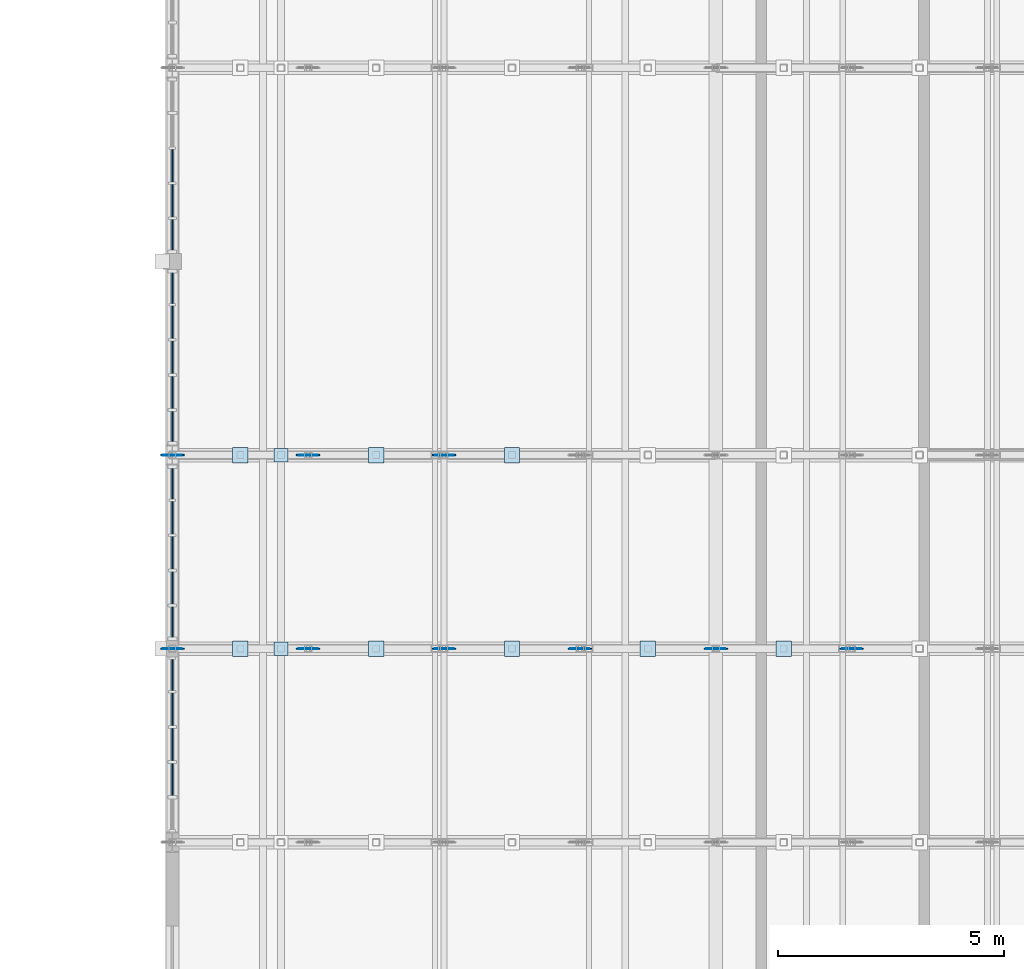
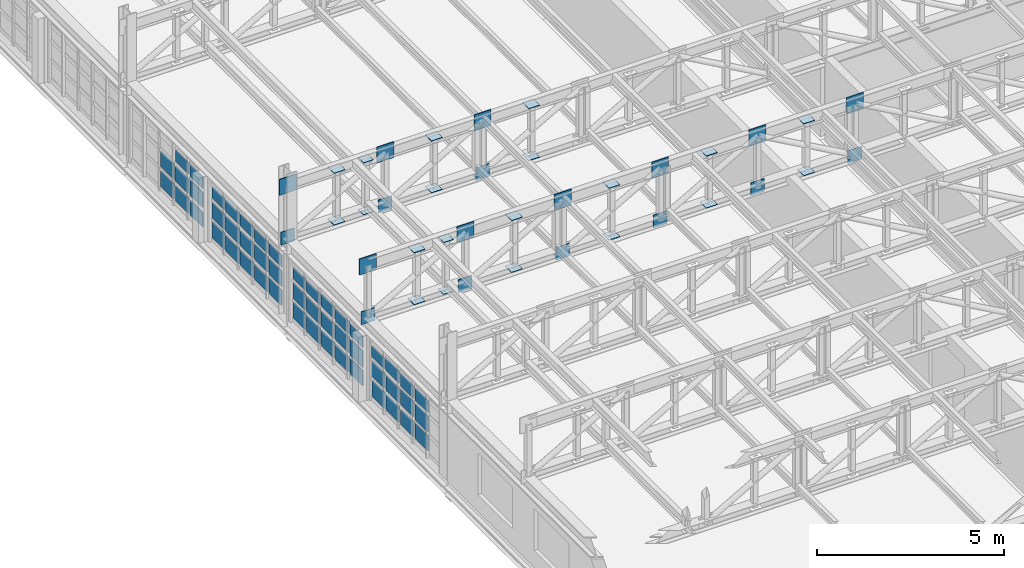
# One storey, part 107 of 128: 88 plates, 4 elements without a shape of their own.
"""IFC4 building model written with IfcOpenShell, lengths in metres."""

from ifc_helpers import new_model, si_unit, direction, frame, origin, origin_2d, place, context, subcontext, project, spatial, rectangle, extrude, material, layer, layer_set, type_object, element, aggregate, save


model = new_model("IFC4")

# Units and contexts
model_context = context("Model", 3, precision=1e-05, world=origin(), true_north=direction((0.0, 1.0)))
body_context = subcontext(model_context, "Body", "Model", "MODEL_VIEW")
ifc_project = project(units=[si_unit("LENGTHUNIT", "METRE"), si_unit("AREAUNIT", "SQUARE_METRE"), si_unit("VOLUMEUNIT", "CUBIC_METRE"), si_unit("PLANEANGLEUNIT", "RADIAN"), si_unit("MASSUNIT", "GRAM", prefix="KILO")], contexts=[model_context])

# Site, building, storey
site_placement = place(None, origin())
site = spatial("IfcSite", under=ifc_project, at=site_placement, CompositionType="ELEMENT")
building_placement = place(site_placement, origin())
building = spatial("IfcBuilding", under=site, at=building_placement, Name="Serraforn Aerial Cableway Station", CompositionType="ELEMENT")
storey_placement = place(building_placement, frame((0.0, 0.0, 9.0)))
storey = spatial("IfcBuildingStorey", under=building, at=storey_placement, Name="L02", CompositionType="ELEMENT", Elevation=9.0)

# Curtain wall, plates
ifc_material_1 = material(Name="Anodised bronze unitised curtain wall")
curtain_wall_type_1 = type_object("IfcCurtainWallType", Name="CW-SYS-3", PredefinedType="USERDEFINED", material=ifc_material_1)
curtain_wall_1_placement = place(storey_placement, origin())
curtain_wall_1 = element("IfcCurtainWall", 1, at=curtain_wall_1_placement, inside=storey, type_object=curtain_wall_type_1, Name="Unitised Curtain Wall CW-EG-L02-W5A", ObjectType="UNITISED CURTAIN WALL", PredefinedType="USERDEFINED")
ifc_material_2 = material(Name="Solar-control low-E double glazing", Category="glass")
ifc_layer_1 = layer(ifc_material_2, 0.02587890625)
ifc_layer_set_1 = layer_set([ifc_layer_1], Name="Solar-control low-E double glazing")
plate_type_1 = type_object("IfcPlateType", Name="CW-GLZ-1", PredefinedType="CURTAIN_PANEL", material=ifc_layer_set_1)
plate_1_placement = place(storey_placement, frame((144.0, 87.716064453125, 0.77880859375), z_axis=(0.0, 0.0, 1.0), x_axis=(1.0, 0.0, 0.0)))
plate_1 = element("IfcPlate", 2, at=plate_1_placement, type_object=plate_type_1, Name="Curtain Wall Panel CW-EG-L02-W5A-P1-2", PredefinedType="CURTAIN_PANEL", context=body_context, shape_type="SweptSolid", body=[
    extrude(rectangle(XDim=0.02587890625, YDim=0.67578125, at=origin_2d()), origin(), (0.0, 0.0, 1.0), 0.512451171875),
])
plate_2_placement = place(storey_placement, frame((144.0, 86.966796875, 0.142578125), z_axis=(0.0, 0.0, 1.0), x_axis=(1.0, 0.0, 0.0)))
plate_2 = element("IfcPlate", 3, at=plate_2_placement, type_object=plate_type_1, Name="Curtain Wall Panel CW-EG-L02-W5A-P2-1", PredefinedType="CURTAIN_PANEL", context=body_context, shape_type="SweptSolid", body=[
    extrude(rectangle(XDim=0.02587890625, YDim=0.720947265625, at=origin_2d()), origin(), (0.0, 0.0, 1.0), 0.512451171875),
])

# Curtain wall, plate
curtain_wall_type_2 = type_object("IfcCurtainWallType", Name="CW-SYS-4", PredefinedType="USERDEFINED", material=ifc_material_1)
curtain_wall_2_placement = place(storey_placement, origin())
curtain_wall_2 = element("IfcCurtainWall", 4, at=curtain_wall_2_placement, inside=storey, type_object=curtain_wall_type_2, Name="Unitised Curtain Wall CW-EG-L02-W5B", ObjectType="UNITISED CURTAIN WALL", PredefinedType="USERDEFINED")
plate_3_placement = place(storey_placement, frame((144.0, 83.495361328125, 0.142578125), z_axis=(0.0, 0.0, 1.0), x_axis=(1.0, 0.0, 0.0)))
plate_3 = element("IfcPlate", 5, at=plate_3_placement, type_object=plate_type_1, Name="Curtain Wall Panel CW-EG-L02-W5B-P1-1", PredefinedType="CURTAIN_PANEL", context=body_context, shape_type="SweptSolid", body=[
    extrude(rectangle(XDim=0.02587890625, YDim=0.693359375, at=origin_2d()), origin(), (0.0, 0.0, 1.0), 0.512451171875),
])

# Curtain wall, plates
curtain_wall_type_3 = type_object("IfcCurtainWallType", Name="CW-SYS-7", PredefinedType="USERDEFINED", material=ifc_material_1)
curtain_wall_3_placement = place(storey_placement, origin())
curtain_wall_3 = element("IfcCurtainWall", 6, at=curtain_wall_3_placement, inside=storey, type_object=curtain_wall_type_3, Name="Unitised Curtain Wall CW-EG-L02-W6A", ObjectType="UNITISED CURTAIN WALL", PredefinedType="USERDEFINED")
plate_4_placement = place(storey_placement, frame((144.0, 93.968017578125, 1.4375), z_axis=(0.0, 0.0, 1.0), x_axis=(1.0, 0.0, 0.0)))
plate_4 = element("IfcPlate", 7, at=plate_4_placement, type_object=plate_type_1, Name="Curtain Wall Panel CW-EG-L02-W6A-P4-3", PredefinedType="CURTAIN_PANEL", context=body_context, shape_type="SweptSolid", body=[
    extrude(rectangle(XDim=0.02587890625, YDim=0.7158203125, at=origin_2d()), origin(), (0.0, 0.0, 1.0), 0.375244140625),
])
plate_5_placement = place(storey_placement, frame((144.0, 93.2109375, 0.80126953125), z_axis=(0.0, 0.0, 1.0), x_axis=(1.0, 0.0, 0.0)))
plate_5 = element("IfcPlate", 8, at=plate_5_placement, type_object=plate_type_1, Name="Curtain Wall Panel CW-EG-L02-W6A-P5-2", PredefinedType="CURTAIN_PANEL", context=body_context, shape_type="SweptSolid", body=[
    extrude(rectangle(XDim=0.02587890625, YDim=0.67578125, at=origin_2d()), origin(), (0.0, 0.0, 1.0), 0.50244140625),
])

curtain_wall_type_4 = type_object("IfcCurtainWallType", Name="CW-SYS-8", PredefinedType="USERDEFINED", material=ifc_material_1)
curtain_wall_4_placement = place(storey_placement, origin())
curtain_wall_4 = element("IfcCurtainWall", 9, at=curtain_wall_4_placement, inside=storey, type_object=curtain_wall_type_4, Name="Unitised Curtain Wall CW-EG-L02-W6B", ObjectType="UNITISED CURTAIN WALL", PredefinedType="USERDEFINED")
plate_6_placement = place(storey_placement, frame((144.0, 90.51025390625, 1.4375), z_axis=(0.0, 0.0, 1.0), x_axis=(1.0, 0.0, 0.0)))
plate_6 = element("IfcPlate", 10, at=plate_6_placement, type_object=plate_type_1, Name="Curtain Wall Panel CW-EG-L02-W6B-P3-3", PredefinedType="CURTAIN_PANEL", context=body_context, shape_type="SweptSolid", body=[
    extrude(rectangle(XDim=0.02587890625, YDim=0.7158203125, at=origin_2d()), origin(), (0.0, 0.0, 1.0), 0.375244140625),
])
plate_7_placement = place(storey_placement, frame((144.0, 89.73583984375, 0.80126953125), z_axis=(0.0, 0.0, 1.0), x_axis=(1.0, 0.0, 0.0)))
plate_7 = element("IfcPlate", 11, at=plate_7_placement, type_object=plate_type_1, Name="Curtain Wall Panel CW-EG-L02-W6B-P4-2", PredefinedType="CURTAIN_PANEL", context=body_context, shape_type="SweptSolid", body=[
    extrude(rectangle(XDim=0.02587890625, YDim=0.7109375, at=origin_2d()), origin(), (0.0, 0.0, 1.0), 0.50244140625),
])
plate_8_placement = place(storey_placement, frame((144.0, 88.980224609375, 0.165283203125), z_axis=(0.0, 0.0, 1.0), x_axis=(1.0, 0.0, 0.0)))
plate_8 = element("IfcPlate", 12, at=plate_8_placement, type_object=plate_type_1, Name="Curtain Wall Panel CW-EG-L02-W6B-P5-1", PredefinedType="CURTAIN_PANEL", context=body_context, shape_type="SweptSolid", body=[
    extrude(rectangle(XDim=0.02587890625, YDim=0.66845703125, at=origin_2d()), origin(), (0.0, 0.0, 1.0), 0.50244140625),
])

# Plate
ifc_layer_2 = layer(ifc_material_2, 0.028076171875)
ifc_layer_set_2 = layer_set([ifc_layer_2], Name="Solar-control low-E double glazing")
plate_type_2 = type_object("IfcPlateType", Name="CW-GLZ-2", PredefinedType="CURTAIN_PANEL", material=ifc_layer_set_2)
plate_9_placement = place(storey_placement, frame((144.0, 87.716064453125, 1.42236328125), z_axis=(0.0, 0.0, 1.0), x_axis=(1.0, 0.0, 0.0)))
plate_9 = element("IfcPlate", 13, at=plate_9_placement, type_object=plate_type_2, Name="Curtain Wall Panel CW-EG-L02-W5A-P1-3", PredefinedType="CURTAIN_PANEL", context=body_context, shape_type="SweptSolid", body=[
    extrude(rectangle(XDim=0.028076171875, YDim=0.67578125, at=origin_2d()), origin(), (0.0, 0.0, 1.0), 0.370361328125),
])

plate_10_placement = place(storey_placement, frame((144.0, 86.966796875, 0.786376953125), z_axis=(0.0, 0.0, 1.0), x_axis=(1.0, 0.0, 0.0)))
plate_10 = element("IfcPlate", 14, at=plate_10_placement, type_object=plate_type_2, Name="Curtain Wall Panel CW-EG-L02-W5A-P2-2", PredefinedType="CURTAIN_PANEL", context=body_context, shape_type="SweptSolid", body=[
    extrude(rectangle(XDim=0.028076171875, YDim=0.720947265625, at=origin_2d()), origin(), (0.0, 0.0, 1.0), 0.49755859375),
])

plate_11_placement = place(storey_placement, frame((144.0, 86.1923828125, 0.150390625), z_axis=(0.0, 0.0, 1.0), x_axis=(1.0, 0.0, 0.0)))
plate_11 = element("IfcPlate", 15, at=plate_11_placement, type_object=plate_type_2, Name="Curtain Wall Panel CW-EG-L02-W5A-P3-1", PredefinedType="CURTAIN_PANEL", context=body_context, shape_type="SweptSolid", body=[
    extrude(rectangle(XDim=0.028076171875, YDim=0.7158203125, at=origin_2d()), origin(), (0.0, 0.0, 1.0), 0.49755859375),
])

plate_12_placement = place(storey_placement, frame((144.0, 83.495361328125, 0.786376953125), z_axis=(0.0, 0.0, 1.0), x_axis=(1.0, 0.0, 0.0)))
plate_12 = element("IfcPlate", 16, at=plate_12_placement, type_object=plate_type_2, Name="Curtain Wall Panel CW-EG-L02-W5B-P1-2", PredefinedType="CURTAIN_PANEL", context=body_context, shape_type="SweptSolid", body=[
    extrude(rectangle(XDim=0.028076171875, YDim=0.693359375, at=origin_2d()), origin(), (0.0, 0.0, 1.0), 0.49755859375),
])

plate_13_placement = place(storey_placement, frame((144.0, 82.734619140625, 0.150390625), z_axis=(0.0, 0.0, 1.0), x_axis=(1.0, 0.0, 0.0)))
plate_13 = element("IfcPlate", 17, at=plate_13_placement, type_object=plate_type_2, Name="Curtain Wall Panel CW-EG-L02-W5B-P2-1", PredefinedType="CURTAIN_PANEL", context=body_context, shape_type="SweptSolid", body=[
    extrude(rectangle(XDim=0.028076171875, YDim=0.7158203125, at=origin_2d()), origin(), (0.0, 0.0, 1.0), 0.49755859375),
])

plate_14_placement = place(storey_placement, frame((144.0, 93.2109375, 1.40966796875), z_axis=(0.0, 0.0, 1.0), x_axis=(1.0, 0.0, 0.0)))
plate_14 = element("IfcPlate", 18, at=plate_14_placement, type_object=plate_type_2, Name="Curtain Wall Panel CW-EG-L02-W6A-P5-3", PredefinedType="CURTAIN_PANEL", context=body_context, shape_type="SweptSolid", body=[
    extrude(rectangle(XDim=0.028076171875, YDim=0.67578125, at=origin_2d()), origin(), (0.0, 0.0, 1.0), 0.397705078125),
])

plate_15_placement = place(storey_placement, frame((144.0, 89.73583984375, 1.40966796875), z_axis=(0.0, 0.0, 1.0), x_axis=(1.0, 0.0, 0.0)))
plate_15 = element("IfcPlate", 19, at=plate_15_placement, type_object=plate_type_2, Name="Curtain Wall Panel CW-EG-L02-W6B-P4-3", PredefinedType="CURTAIN_PANEL", context=body_context, shape_type="SweptSolid", body=[
    extrude(rectangle(XDim=0.028076171875, YDim=0.7109375, at=origin_2d()), origin(), (0.0, 0.0, 1.0), 0.397705078125),
])

plate_16_placement = place(storey_placement, frame((144.0, 88.980224609375, 0.77392578125), z_axis=(0.0, 0.0, 1.0), x_axis=(1.0, 0.0, 0.0)))
plate_16 = element("IfcPlate", 20, at=plate_16_placement, type_object=plate_type_2, Name="Curtain Wall Panel CW-EG-L02-W6B-P5-2", PredefinedType="CURTAIN_PANEL", context=body_context, shape_type="SweptSolid", body=[
    extrude(rectangle(XDim=0.028076171875, YDim=0.66845703125, at=origin_2d()), origin(), (0.0, 0.0, 1.0), 0.52490234375),
])

ifc_layer_3 = layer(ifc_material_2, 0.030029296875)
ifc_layer_set_3 = layer_set([ifc_layer_3], Name="Solar-control low-E double glazing")
plate_type_3 = type_object("IfcPlateType", Name="CW-GLZ-3", PredefinedType="CURTAIN_PANEL", material=ifc_layer_set_3)
plate_17_placement = place(storey_placement, frame((144.0, 86.966796875, 1.4296875), z_axis=(0.0, 0.0, 1.0), x_axis=(1.0, 0.0, 0.0)))
plate_17 = element("IfcPlate", 21, at=plate_17_placement, type_object=plate_type_3, Name="Curtain Wall Panel CW-EG-L02-W5A-P2-3", PredefinedType="CURTAIN_PANEL", context=body_context, shape_type="SweptSolid", body=[
    extrude(rectangle(XDim=0.030029296875, YDim=0.720947265625, at=origin_2d()), origin(), (0.0, 0.0, 1.0), 0.355224609375),
])

plate_18_placement = place(storey_placement, frame((144.0, 86.1923828125, 0.7939453125), z_axis=(0.0, 0.0, 1.0), x_axis=(1.0, 0.0, 0.0)))
plate_18 = element("IfcPlate", 22, at=plate_18_placement, type_object=plate_type_3, Name="Curtain Wall Panel CW-EG-L02-W5A-P3-2", PredefinedType="CURTAIN_PANEL", context=body_context, shape_type="SweptSolid", body=[
    extrude(rectangle(XDim=0.030029296875, YDim=0.7158203125, at=origin_2d()), origin(), (0.0, 0.0, 1.0), 0.482421875),
])

plate_19_placement = place(storey_placement, frame((144.0, 85.41796875, 0.15771484375), z_axis=(0.0, 0.0, 1.0), x_axis=(1.0, 0.0, 0.0)))
plate_19 = element("IfcPlate", 23, at=plate_19_placement, type_object=plate_type_3, Name="Curtain Wall Panel CW-EG-L02-W5A-P4-1", PredefinedType="CURTAIN_PANEL", context=body_context, shape_type="SweptSolid", body=[
    extrude(rectangle(XDim=0.030029296875, YDim=0.7109375, at=origin_2d()), origin(), (0.0, 0.0, 1.0), 0.482421875),
])

plate_20_placement = place(storey_placement, frame((144.0, 83.495361328125, 1.4296875), z_axis=(0.0, 0.0, 1.0), x_axis=(1.0, 0.0, 0.0)))
plate_20 = element("IfcPlate", 24, at=plate_20_placement, type_object=plate_type_3, Name="Curtain Wall Panel CW-EG-L02-W5B-P1-3", PredefinedType="CURTAIN_PANEL", context=body_context, shape_type="SweptSolid", body=[
    extrude(rectangle(XDim=0.030029296875, YDim=0.693359375, at=origin_2d()), origin(), (0.0, 0.0, 1.0), 0.355224609375),
])

plate_21_placement = place(storey_placement, frame((144.0, 82.734619140625, 0.7939453125), z_axis=(0.0, 0.0, 1.0), x_axis=(1.0, 0.0, 0.0)))
plate_21 = element("IfcPlate", 25, at=plate_21_placement, type_object=plate_type_3, Name="Curtain Wall Panel CW-EG-L02-W5B-P2-2", PredefinedType="CURTAIN_PANEL", context=body_context, shape_type="SweptSolid", body=[
    extrude(rectangle(XDim=0.030029296875, YDim=0.7158203125, at=origin_2d()), origin(), (0.0, 0.0, 1.0), 0.482421875),
])

plate_22_placement = place(storey_placement, frame((144.0, 81.960205078125, 0.15771484375), z_axis=(0.0, 0.0, 1.0), x_axis=(1.0, 0.0, 0.0)))
plate_22 = element("IfcPlate", 26, at=plate_22_placement, type_object=plate_type_3, Name="Curtain Wall Panel CW-EG-L02-W5B-P3-1", PredefinedType="CURTAIN_PANEL", context=body_context, shape_type="SweptSolid", body=[
    extrude(rectangle(XDim=0.030029296875, YDim=0.7109375, at=origin_2d()), origin(), (0.0, 0.0, 1.0), 0.482421875),
])

plate_23_placement = place(storey_placement, frame((144.0, 88.980224609375, 1.414794921875), z_axis=(0.0, 0.0, 1.0), x_axis=(1.0, 0.0, 0.0)))
plate_23 = element("IfcPlate", 27, at=plate_23_placement, type_object=plate_type_3, Name="Curtain Wall Panel CW-EG-L02-W6B-P5-3", PredefinedType="CURTAIN_PANEL", context=body_context, shape_type="SweptSolid", body=[
    extrude(rectangle(XDim=0.030029296875, YDim=0.66845703125, at=origin_2d()), origin(), (0.0, 0.0, 1.0), 0.38525390625),
])

ifc_layer_4 = layer(ifc_material_2, 0.031982421875)
ifc_layer_set_4 = layer_set([ifc_layer_4], Name="Solar-control low-E double glazing")
plate_type_4 = type_object("IfcPlateType", Name="CW-GLZ-4", PredefinedType="CURTAIN_PANEL", material=ifc_layer_set_4)
plate_24_placement = place(storey_placement, frame((144.0, 86.1923828125, 1.4375), z_axis=(0.0, 0.0, 1.0), x_axis=(1.0, 0.0, 0.0)))
plate_24 = element("IfcPlate", 28, at=plate_24_placement, type_object=plate_type_4, Name="Curtain Wall Panel CW-EG-L02-W5A-P3-3", PredefinedType="CURTAIN_PANEL", context=body_context, shape_type="SweptSolid", body=[
    extrude(rectangle(XDim=0.031982421875, YDim=0.7158203125, at=origin_2d()), origin(), (0.0, 0.0, 1.0), 0.375244140625),
])

plate_25_placement = place(storey_placement, frame((144.0, 85.41796875, 0.80126953125), z_axis=(0.0, 0.0, 1.0), x_axis=(1.0, 0.0, 0.0)))
plate_25 = element("IfcPlate", 29, at=plate_25_placement, type_object=plate_type_4, Name="Curtain Wall Panel CW-EG-L02-W5A-P4-2", PredefinedType="CURTAIN_PANEL", context=body_context, shape_type="SweptSolid", body=[
    extrude(rectangle(XDim=0.031982421875, YDim=0.7109375, at=origin_2d()), origin(), (0.0, 0.0, 1.0), 0.50244140625),
])

plate_26_placement = place(storey_placement, frame((144.0, 84.662109375, 0.165283203125), z_axis=(0.0, 0.0, 1.0), x_axis=(1.0, 0.0, 0.0)))
plate_26 = element("IfcPlate", 30, at=plate_26_placement, type_object=plate_type_4, Name="Curtain Wall Panel CW-EG-L02-W5A-P5-1", PredefinedType="CURTAIN_PANEL", context=body_context, shape_type="SweptSolid", body=[
    extrude(rectangle(XDim=0.031982421875, YDim=0.66845703125, at=origin_2d()), origin(), (0.0, 0.0, 1.0), 0.50244140625),
])

plate_27_placement = place(storey_placement, frame((144.0, 82.734619140625, 1.4375), z_axis=(0.0, 0.0, 1.0), x_axis=(1.0, 0.0, 0.0)))
plate_27 = element("IfcPlate", 31, at=plate_27_placement, type_object=plate_type_4, Name="Curtain Wall Panel CW-EG-L02-W5B-P2-3", PredefinedType="CURTAIN_PANEL", context=body_context, shape_type="SweptSolid", body=[
    extrude(rectangle(XDim=0.031982421875, YDim=0.7158203125, at=origin_2d()), origin(), (0.0, 0.0, 1.0), 0.375244140625),
])

plate_28_placement = place(storey_placement, frame((144.0, 81.960205078125, 0.80126953125), z_axis=(0.0, 0.0, 1.0), x_axis=(1.0, 0.0, 0.0)))
plate_28 = element("IfcPlate", 32, at=plate_28_placement, type_object=plate_type_4, Name="Curtain Wall Panel CW-EG-L02-W5B-P3-2", PredefinedType="CURTAIN_PANEL", context=body_context, shape_type="SweptSolid", body=[
    extrude(rectangle(XDim=0.031982421875, YDim=0.7109375, at=origin_2d()), origin(), (0.0, 0.0, 1.0), 0.50244140625),
])

plate_29_placement = place(storey_placement, frame((144.0, 81.185791015625, 0.165283203125), z_axis=(0.0, 0.0, 1.0), x_axis=(1.0, 0.0, 0.0)))
plate_29 = element("IfcPlate", 33, at=plate_29_placement, type_object=plate_type_4, Name="Curtain Wall Panel CW-EG-L02-W5B-P4-1", PredefinedType="CURTAIN_PANEL", context=body_context, shape_type="SweptSolid", body=[
    extrude(rectangle(XDim=0.031982421875, YDim=0.705810546875, at=origin_2d()), origin(), (0.0, 0.0, 1.0), 0.50244140625),
])

ifc_layer_5 = layer(ifc_material_2, 0.033935546875)
ifc_layer_set_5 = layer_set([ifc_layer_5], Name="Solar-control low-E double glazing")
plate_type_5 = type_object("IfcPlateType", Name="CW-GLZ-5", PredefinedType="CURTAIN_PANEL", material=ifc_layer_set_5)
plate_30_placement = place(storey_placement, frame((144.0, 85.41796875, 1.40966796875), z_axis=(0.0, 0.0, 1.0), x_axis=(1.0, 0.0, 0.0)))
plate_30 = element("IfcPlate", 34, at=plate_30_placement, type_object=plate_type_5, Name="Curtain Wall Panel CW-EG-L02-W5A-P4-3", PredefinedType="CURTAIN_PANEL", context=body_context, shape_type="SweptSolid", body=[
    extrude(rectangle(XDim=0.033935546875, YDim=0.7109375, at=origin_2d()), origin(), (0.0, 0.0, 1.0), 0.397705078125),
])

plate_31_placement = place(storey_placement, frame((144.0, 84.662109375, 0.77392578125), z_axis=(0.0, 0.0, 1.0), x_axis=(1.0, 0.0, 0.0)))
plate_31 = element("IfcPlate", 35, at=plate_31_placement, type_object=plate_type_5, Name="Curtain Wall Panel CW-EG-L02-W5A-P5-2", PredefinedType="CURTAIN_PANEL", context=body_context, shape_type="SweptSolid", body=[
    extrude(rectangle(XDim=0.033935546875, YDim=0.66845703125, at=origin_2d()), origin(), (0.0, 0.0, 1.0), 0.52490234375),
])

plate_32_placement = place(storey_placement, frame((144.0, 81.960205078125, 1.40966796875), z_axis=(0.0, 0.0, 1.0), x_axis=(1.0, 0.0, 0.0)))
plate_32 = element("IfcPlate", 36, at=plate_32_placement, type_object=plate_type_5, Name="Curtain Wall Panel CW-EG-L02-W5B-P3-3", PredefinedType="CURTAIN_PANEL", context=body_context, shape_type="SweptSolid", body=[
    extrude(rectangle(XDim=0.033935546875, YDim=0.7109375, at=origin_2d()), origin(), (0.0, 0.0, 1.0), 0.397705078125),
])

plate_33_placement = place(storey_placement, frame((144.0, 81.185791015625, 0.77392578125), z_axis=(0.0, 0.0, 1.0), x_axis=(1.0, 0.0, 0.0)))
plate_33 = element("IfcPlate", 37, at=plate_33_placement, type_object=plate_type_5, Name="Curtain Wall Panel CW-EG-L02-W5B-P4-2", PredefinedType="CURTAIN_PANEL", context=body_context, shape_type="SweptSolid", body=[
    extrude(rectangle(XDim=0.033935546875, YDim=0.705810546875, at=origin_2d()), origin(), (0.0, 0.0, 1.0), 0.52490234375),
])

plate_34_placement = place(storey_placement, frame((144.0, 92.033935546875, 0.137939453125), z_axis=(0.0, 0.0, 1.0), x_axis=(1.0, 0.0, 0.0)))
plate_34 = element("IfcPlate", 38, at=plate_34_placement, type_object=plate_type_5, Name="Curtain Wall Panel CW-EG-L02-W6B-P1-1", PredefinedType="CURTAIN_PANEL", context=body_context, shape_type="SweptSolid", body=[
    extrude(rectangle(XDim=0.033935546875, YDim=0.67578125, at=origin_2d()), origin(), (0.0, 0.0, 1.0), 0.52490234375),
])

ifc_layer_6 = layer(ifc_material_2, 0.035888671875)
ifc_layer_set_6 = layer_set([ifc_layer_6], Name="Solar-control low-E double glazing")
plate_type_6 = type_object("IfcPlateType", Name="CW-GLZ-6", PredefinedType="CURTAIN_PANEL", material=ifc_layer_set_6)
plate_35_placement = place(storey_placement, frame((144.0, 84.662109375, 1.414794921875), z_axis=(0.0, 0.0, 1.0), x_axis=(1.0, 0.0, 0.0)))
plate_35 = element("IfcPlate", 39, at=plate_35_placement, type_object=plate_type_6, Name="Curtain Wall Panel CW-EG-L02-W5A-P5-3", PredefinedType="CURTAIN_PANEL", context=body_context, shape_type="SweptSolid", body=[
    extrude(rectangle(XDim=0.035888671875, YDim=0.66845703125, at=origin_2d()), origin(), (0.0, 0.0, 1.0), 0.38525390625),
])

plate_36_placement = place(storey_placement, frame((144.0, 81.185791015625, 1.414794921875), z_axis=(0.0, 0.0, 1.0), x_axis=(1.0, 0.0, 0.0)))
plate_36 = element("IfcPlate", 40, at=plate_36_placement, type_object=plate_type_6, Name="Curtain Wall Panel CW-EG-L02-W5B-P4-3", PredefinedType="CURTAIN_PANEL", context=body_context, shape_type="SweptSolid", body=[
    extrude(rectangle(XDim=0.035888671875, YDim=0.705810546875, at=origin_2d()), origin(), (0.0, 0.0, 1.0), 0.38525390625),
])

aggregate(curtain_wall_2, [plate_3, plate_12, plate_20, plate_13, plate_21, plate_27, plate_22, plate_28, plate_32, plate_29, plate_33, plate_36])

plate_37_placement = place(storey_placement, frame((144.0, 94.7421875, 0.142578125), z_axis=(0.0, 0.0, 1.0), x_axis=(1.0, 0.0, 0.0)))
plate_37 = element("IfcPlate", 41, at=plate_37_placement, type_object=plate_type_6, Name="Curtain Wall Panel CW-EG-L02-W6A-P3-1", PredefinedType="CURTAIN_PANEL", context=body_context, shape_type="SweptSolid", body=[
    extrude(rectangle(XDim=0.035888671875, YDim=0.720947265625, at=origin_2d()), origin(), (0.0, 0.0, 1.0), 0.512451171875),
])

plate_38_placement = place(storey_placement, frame((144.0, 92.033935546875, 0.77880859375), z_axis=(0.0, 0.0, 1.0), x_axis=(1.0, 0.0, 0.0)))
plate_38 = element("IfcPlate", 42, at=plate_38_placement, type_object=plate_type_6, Name="Curtain Wall Panel CW-EG-L02-W6B-P1-2", PredefinedType="CURTAIN_PANEL", context=body_context, shape_type="SweptSolid", body=[
    extrude(rectangle(XDim=0.035888671875, YDim=0.67578125, at=origin_2d()), origin(), (0.0, 0.0, 1.0), 0.512451171875),
])

plate_39_placement = place(storey_placement, frame((144.0, 91.28466796875, 0.142578125), z_axis=(0.0, 0.0, 1.0), x_axis=(1.0, 0.0, 0.0)))
plate_39 = element("IfcPlate", 43, at=plate_39_placement, type_object=plate_type_6, Name="Curtain Wall Panel CW-EG-L02-W6B-P2-1", PredefinedType="CURTAIN_PANEL", context=body_context, shape_type="SweptSolid", body=[
    extrude(rectangle(XDim=0.035888671875, YDim=0.720947265625, at=origin_2d()), origin(), (0.0, 0.0, 1.0), 0.512451171875),
])

ifc_layer_7 = layer(ifc_material_2, 0.029052734375)
ifc_layer_set_7 = layer_set([ifc_layer_7], Name="Solar-control low-E double glazing")
plate_type_7 = type_object("IfcPlateType", Name="CW-GLZ-7", PredefinedType="CURTAIN_PANEL", material=ifc_layer_set_7)
plate_40_placement = place(storey_placement, frame((144.0, 94.7421875, 0.786376953125), z_axis=(0.0, 0.0, 1.0), x_axis=(1.0, 0.0, 0.0)))
plate_40 = element("IfcPlate", 44, at=plate_40_placement, type_object=plate_type_7, Name="Curtain Wall Panel CW-EG-L02-W6A-P3-2", PredefinedType="CURTAIN_PANEL", context=body_context, shape_type="SweptSolid", body=[
    extrude(rectangle(XDim=0.029052734375, YDim=0.720947265625, at=origin_2d()), origin(), (0.0, 0.0, 1.0), 0.49755859375),
])

plate_41_placement = place(storey_placement, frame((144.0, 93.968017578125, 0.150390625), z_axis=(0.0, 0.0, 1.0), x_axis=(1.0, 0.0, 0.0)))
plate_41 = element("IfcPlate", 45, at=plate_41_placement, type_object=plate_type_7, Name="Curtain Wall Panel CW-EG-L02-W6A-P4-1", PredefinedType="CURTAIN_PANEL", context=body_context, shape_type="SweptSolid", body=[
    extrude(rectangle(XDim=0.029052734375, YDim=0.7158203125, at=origin_2d()), origin(), (0.0, 0.0, 1.0), 0.49755859375),
])

plate_42_placement = place(storey_placement, frame((144.0, 92.033935546875, 1.42236328125), z_axis=(0.0, 0.0, 1.0), x_axis=(1.0, 0.0, 0.0)))
plate_42 = element("IfcPlate", 46, at=plate_42_placement, type_object=plate_type_7, Name="Curtain Wall Panel CW-EG-L02-W6B-P1-3", PredefinedType="CURTAIN_PANEL", context=body_context, shape_type="SweptSolid", body=[
    extrude(rectangle(XDim=0.029052734375, YDim=0.67578125, at=origin_2d()), origin(), (0.0, 0.0, 1.0), 0.370361328125),
])

plate_43_placement = place(storey_placement, frame((144.0, 91.28466796875, 0.786376953125), z_axis=(0.0, 0.0, 1.0), x_axis=(1.0, 0.0, 0.0)))
plate_43 = element("IfcPlate", 47, at=plate_43_placement, type_object=plate_type_7, Name="Curtain Wall Panel CW-EG-L02-W6B-P2-2", PredefinedType="CURTAIN_PANEL", context=body_context, shape_type="SweptSolid", body=[
    extrude(rectangle(XDim=0.029052734375, YDim=0.720947265625, at=origin_2d()), origin(), (0.0, 0.0, 1.0), 0.49755859375),
])

plate_44_placement = place(storey_placement, frame((144.0, 90.51025390625, 0.150390625), z_axis=(0.0, 0.0, 1.0), x_axis=(1.0, 0.0, 0.0)))
plate_44 = element("IfcPlate", 48, at=plate_44_placement, type_object=plate_type_7, Name="Curtain Wall Panel CW-EG-L02-W6B-P3-1", PredefinedType="CURTAIN_PANEL", context=body_context, shape_type="SweptSolid", body=[
    extrude(rectangle(XDim=0.029052734375, YDim=0.7158203125, at=origin_2d()), origin(), (0.0, 0.0, 1.0), 0.49755859375),
])

ifc_layer_8 = layer(ifc_material_2, 0.031005859375)
ifc_layer_set_8 = layer_set([ifc_layer_8], Name="Solar-control low-E double glazing")
plate_type_8 = type_object("IfcPlateType", Name="CW-GLZ-8", PredefinedType="CURTAIN_PANEL", material=ifc_layer_set_8)
plate_45_placement = place(storey_placement, frame((144.0, 87.716064453125, 0.137939453125), z_axis=(0.0, 0.0, 1.0), x_axis=(1.0, 0.0, 0.0)))
plate_45 = element("IfcPlate", 49, at=plate_45_placement, type_object=plate_type_8, Name="Curtain Wall Panel CW-EG-L02-W5A-P1-1", PredefinedType="CURTAIN_PANEL", context=body_context, shape_type="SweptSolid", body=[
    extrude(rectangle(XDim=0.031005859375, YDim=0.67578125, at=origin_2d()), origin(), (0.0, 0.0, 1.0), 0.52490234375),
])

aggregate(curtain_wall_1, [plate_45, plate_1, plate_9, plate_2, plate_10, plate_17, plate_11, plate_18, plate_24, plate_19, plate_25, plate_30, plate_26, plate_31, plate_35])

plate_46_placement = place(storey_placement, frame((144.0, 93.968017578125, 0.7939453125), z_axis=(0.0, 0.0, 1.0), x_axis=(1.0, 0.0, 0.0)))
plate_46 = element("IfcPlate", 50, at=plate_46_placement, type_object=plate_type_8, Name="Curtain Wall Panel CW-EG-L02-W6A-P4-2", PredefinedType="CURTAIN_PANEL", context=body_context, shape_type="SweptSolid", body=[
    extrude(rectangle(XDim=0.031005859375, YDim=0.7158203125, at=origin_2d()), origin(), (0.0, 0.0, 1.0), 0.482421875),
])

plate_47_placement = place(storey_placement, frame((144.0, 93.2109375, 0.15771484375), z_axis=(0.0, 0.0, 1.0), x_axis=(1.0, 0.0, 0.0)))
plate_47 = element("IfcPlate", 51, at=plate_47_placement, type_object=plate_type_8, Name="Curtain Wall Panel CW-EG-L02-W6A-P5-1", PredefinedType="CURTAIN_PANEL", context=body_context, shape_type="SweptSolid", body=[
    extrude(rectangle(XDim=0.031005859375, YDim=0.67578125, at=origin_2d()), origin(), (0.0, 0.0, 1.0), 0.482421875),
])

aggregate(curtain_wall_3, [plate_37, plate_40, plate_41, plate_46, plate_4, plate_47, plate_5, plate_14])

plate_48_placement = place(storey_placement, frame((144.0, 91.28466796875, 1.4296875), z_axis=(0.0, 0.0, 1.0), x_axis=(1.0, 0.0, 0.0)))
plate_48 = element("IfcPlate", 52, at=plate_48_placement, type_object=plate_type_8, Name="Curtain Wall Panel CW-EG-L02-W6B-P2-3", PredefinedType="CURTAIN_PANEL", context=body_context, shape_type="SweptSolid", body=[
    extrude(rectangle(XDim=0.031005859375, YDim=0.720947265625, at=origin_2d()), origin(), (0.0, 0.0, 1.0), 0.355224609375),
])

plate_49_placement = place(storey_placement, frame((144.0, 90.51025390625, 0.7939453125), z_axis=(0.0, 0.0, 1.0), x_axis=(1.0, 0.0, 0.0)))
plate_49 = element("IfcPlate", 53, at=plate_49_placement, type_object=plate_type_8, Name="Curtain Wall Panel CW-EG-L02-W6B-P3-2", PredefinedType="CURTAIN_PANEL", context=body_context, shape_type="SweptSolid", body=[
    extrude(rectangle(XDim=0.031005859375, YDim=0.7158203125, at=origin_2d()), origin(), (0.0, 0.0, 1.0), 0.482421875),
])

plate_50_placement = place(storey_placement, frame((144.0, 89.73583984375, 0.15771484375), z_axis=(0.0, 0.0, 1.0), x_axis=(1.0, 0.0, 0.0)))
plate_50 = element("IfcPlate", 54, at=plate_50_placement, type_object=plate_type_8, Name="Curtain Wall Panel CW-EG-L02-W6B-P4-1", PredefinedType="CURTAIN_PANEL", context=body_context, shape_type="SweptSolid", body=[
    extrude(rectangle(XDim=0.031005859375, YDim=0.7109375, at=origin_2d()), origin(), (0.0, 0.0, 1.0), 0.482421875),
])

aggregate(curtain_wall_4, [plate_34, plate_38, plate_42, plate_39, plate_43, plate_48, plate_44, plate_49, plate_6, plate_50, plate_7, plate_15, plate_8, plate_16, plate_23])

# Plates
ifc_material_3 = material(Name="Steel S355J2", Category="steel")
ifc_layer_9 = layer(ifc_material_3, 0.01611328125)
ifc_layer_set_9 = layer_set([ifc_layer_9], Name="Steel S355J2")
plate_type_9 = type_object("IfcPlateType", Name="PLT-CAP-16", PredefinedType="USERDEFINED", material=ifc_layer_set_9)
for number, where, z_axis, x_axis, name in (
    (55, (146.39990234375, 84.074951171875, 2.592041015625), (0.0, 0.0, 1.0), (1.0, 0.0, 0.0), "Suspension Post Bottom Cap 037"),
    (56, (146.39990234375, 84.074951171875, 4.281982421875), (0.0, 0.0, 1.0), (1.0, 0.0, 0.0), "Suspension Post Top Cap 037"),
    (57, (146.39990234375, 88.35009765625, 2.592041015625), (0.0, 0.0, 1.0), (1.0, 0.0, 0.0), "Suspension Post Bottom Cap 043"),
    (58, (146.39990234375, 88.35009765625, 4.281982421875), (0.0, 0.0, 1.0), (1.0, 0.0, 0.0), "Suspension Post Top Cap 043"),
):
    element("IfcPlate", number, at=place(storey_placement, frame(where, z_axis=z_axis, x_axis=x_axis)), inside=storey, type_object=plate_type_9, Name=name, ObjectType="CAP PLATE", PredefinedType="USERDEFINED", context=body_context, shape_type="SweptSolid", body=[
        extrude(rectangle(XDim=0.300048828125, YDim=0.300048828125, at=origin_2d()), origin(), (0.0, 0.0, 1.0), 0.01611328125),
    ])
ifc_layer_10 = layer(ifc_material_3, 0.01806640625)
ifc_layer_set_10 = layer_set([ifc_layer_10], Name="Steel S355J2")
plate_type_10 = type_object("IfcPlateType", Name="PLT-CAP-18", PredefinedType="USERDEFINED", material=ifc_layer_set_10)
for number, where, z_axis, x_axis, name in (
    (59, (145.5, 84.074951171875, 2.591064453125), (0.0, 0.0, 1.0), (1.0, 0.0, 0.0), "Sub-Vertical Strut Bottom Cap GT-08-1"),
    (60, (145.5, 84.074951171875, 4.281005859375), (0.0, 0.0, 1.0), (1.0, 0.0, 0.0), "Sub-Vertical Strut Top Cap GT-08-1"),
    (61, (148.5, 84.074951171875, 2.591064453125), (0.0, 0.0, 1.0), (1.0, 0.0, 0.0), "Sub-Vertical Strut Bottom Cap GT-08-2"),
    (62, (148.5, 84.074951171875, 4.281005859375), (0.0, 0.0, 1.0), (1.0, 0.0, 0.0), "Sub-Vertical Strut Top Cap GT-08-2"),
    (63, (151.5, 84.074951171875, 2.591064453125), (0.0, 0.0, 1.0), (1.0, 0.0, 0.0), "Sub-Vertical Strut Bottom Cap GT-08-3"),
    (64, (151.5, 84.074951171875, 4.281005859375), (0.0, 0.0, 1.0), (1.0, 0.0, 0.0), "Sub-Vertical Strut Top Cap GT-08-3"),
    (65, (154.5, 84.074951171875, 2.591064453125), (0.0, 0.0, 1.0), (1.0, 0.0, 0.0), "Sub-Vertical Strut Bottom Cap GT-08-4"),
    (66, (154.5, 84.074951171875, 4.281005859375), (0.0, 0.0, 1.0), (1.0, 0.0, 0.0), "Sub-Vertical Strut Top Cap GT-08-4"),
    (67, (157.5, 84.074951171875, 2.591064453125), (0.0, 0.0, 1.0), (1.0, 0.0, 0.0), "Sub-Vertical Strut Bottom Cap GT-08-5"),
    (68, (157.5, 84.074951171875, 4.281005859375), (0.0, 0.0, 1.0), (1.0, 0.0, 0.0), "Sub-Vertical Strut Top Cap GT-08-5"),
    (69, (145.5, 88.35009765625, 2.591064453125), (0.0, 0.0, 1.0), (1.0, 0.0, 0.0), "Sub-Vertical Strut Bottom Cap GT-09-1"),
    (70, (145.5, 88.35009765625, 4.281005859375), (0.0, 0.0, 1.0), (1.0, 0.0, 0.0), "Sub-Vertical Strut Top Cap GT-09-1"),
    (71, (148.5, 88.35009765625, 2.591064453125), (0.0, 0.0, 1.0), (1.0, 0.0, 0.0), "Sub-Vertical Strut Bottom Cap GT-09-2"),
    (72, (148.5, 88.35009765625, 4.281005859375), (0.0, 0.0, 1.0), (1.0, 0.0, 0.0), "Sub-Vertical Strut Top Cap GT-09-2"),
    (73, (151.5, 88.35009765625, 2.591064453125), (0.0, 0.0, 1.0), (1.0, 0.0, 0.0), "Sub-Vertical Strut Bottom Cap GT-09-3"),
    (74, (151.5, 88.35009765625, 4.281005859375), (0.0, 0.0, 1.0), (1.0, 0.0, 0.0), "Sub-Vertical Strut Top Cap GT-09-3"),
):
    element("IfcPlate", number, at=place(storey_placement, frame(where, z_axis=z_axis, x_axis=x_axis)), inside=storey, type_object=plate_type_10, Name=name, ObjectType="CAP PLATE", PredefinedType="USERDEFINED", context=body_context, shape_type="SweptSolid", body=[
        extrude(rectangle(XDim=0.340087890625, YDim=0.340087890625, at=origin_2d()), origin(), (0.0, 0.0, 1.0), 0.01806640625),
    ])
ifc_layer_11 = layer(ifc_material_3, 0.02197265625)
ifc_layer_set_11 = layer_set([ifc_layer_11], Name="Steel S355J2")
plate_type_11 = type_object("IfcPlateType", Name="PLT-CAP-22", PredefinedType="USERDEFINED", material=ifc_layer_set_11)
for number, where, z_axis, x_axis, name in (
    (75, (144.0, 84.074951171875, 2.39013671875), (0.0, 0.0, 1.0), (1.0, 0.0, 0.0), "Garage Truss Bottom Node GT-08-1"),
    (76, (147.0, 84.074951171875, 2.39013671875), (0.0, 0.0, 1.0), (1.0, 0.0, 0.0), "Garage Truss Bottom Node GT-08-2"),
    (77, (150.0, 84.074951171875, 2.39013671875), (0.0, 0.0, 1.0), (1.0, 0.0, 0.0), "Garage Truss Bottom Node GT-08-3"),
    (78, (153.0, 84.074951171875, 2.39013671875), (0.0, 0.0, 1.0), (1.0, 0.0, 0.0), "Garage Truss Bottom Node GT-08-4"),
    (79, (156.0, 84.074951171875, 2.39013671875), (0.0, 0.0, 1.0), (1.0, 0.0, 0.0), "Garage Truss Bottom Node GT-08-5"),
    (80, (159.0, 84.074951171875, 2.39013671875), (0.0, 0.0, 1.0), (1.0, 0.0, 0.0), "Garage Truss Bottom Node GT-08-6"),
    (81, (144.0, 88.35009765625, 2.39013671875), (0.0, 0.0, 1.0), (1.0, 0.0, 0.0), "Garage Truss Bottom Node GT-09-1"),
    (82, (147.0, 88.35009765625, 2.39013671875), (0.0, 0.0, 1.0), (1.0, 0.0, 0.0), "Garage Truss Bottom Node GT-09-2"),
    (83, (150.0, 88.35009765625, 2.39013671875), (0.0, 0.0, 1.0), (1.0, 0.0, 0.0), "Garage Truss Bottom Node GT-09-3"),
):
    element("IfcPlate", number, at=place(storey_placement, frame(where, z_axis=z_axis, x_axis=x_axis)), inside=storey, type_object=plate_type_11, Name=name, ObjectType="CAP PLATE", PredefinedType="USERDEFINED", context=body_context, shape_type="SweptSolid", body=[
        extrude(rectangle(XDim=0.419921875, YDim=0.02197265625, at=origin_2d()), origin(), (0.0, 0.0, 1.0), 0.419921875),
    ])
ifc_layer_12 = layer(ifc_material_3, 0.02587890625)
ifc_layer_set_12 = layer_set([ifc_layer_12], Name="Steel S355J2")
plate_type_12 = type_object("IfcPlateType", Name="PLT-GUS-26", PredefinedType="USERDEFINED", material=ifc_layer_set_12)
for number, where, z_axis, x_axis, name in (
    (84, (144.0, 84.074951171875, 4.030029296875), (0.0, 0.0, 1.0), (1.0, 0.0, 0.0), "Garage Truss Top Node GT-08-1"),
    (85, (147.0, 84.074951171875, 4.030029296875), (0.0, 0.0, 1.0), (1.0, 0.0, 0.0), "Garage Truss Top Node GT-08-2"),
    (86, (150.0, 84.074951171875, 4.030029296875), (0.0, 0.0, 1.0), (1.0, 0.0, 0.0), "Garage Truss Top Node GT-08-3"),
    (87, (153.0, 84.074951171875, 4.030029296875), (0.0, 0.0, 1.0), (1.0, 0.0, 0.0), "Garage Truss Top Node GT-08-4"),
    (88, (156.0, 84.074951171875, 4.030029296875), (0.0, 0.0, 1.0), (1.0, 0.0, 0.0), "Garage Truss Top Node GT-08-5"),
    (89, (159.0, 84.074951171875, 4.030029296875), (0.0, 0.0, 1.0), (1.0, 0.0, 0.0), "Garage Truss Top Node GT-08-6"),
    (90, (144.0, 88.35009765625, 4.030029296875), (0.0, 0.0, 1.0), (1.0, 0.0, 0.0), "Garage Truss Top Node GT-09-1"),
    (91, (147.0, 88.35009765625, 4.030029296875), (0.0, 0.0, 1.0), (1.0, 0.0, 0.0), "Garage Truss Top Node GT-09-2"),
    (92, (150.0, 88.35009765625, 4.030029296875), (0.0, 0.0, 1.0), (1.0, 0.0, 0.0), "Garage Truss Top Node GT-09-3"),
):
    element("IfcPlate", number, at=place(storey_placement, frame(where, z_axis=z_axis, x_axis=x_axis)), inside=storey, type_object=plate_type_12, Name=name, ObjectType="GUSSET PLATE", PredefinedType="USERDEFINED", context=body_context, shape_type="SweptSolid", body=[
        extrude(rectangle(XDim=0.52001953125, YDim=0.02587890625, at=origin_2d()), origin(), (0.0, 0.0, 1.0), 0.52001953125),
    ])

save(model, "model.ifc")
